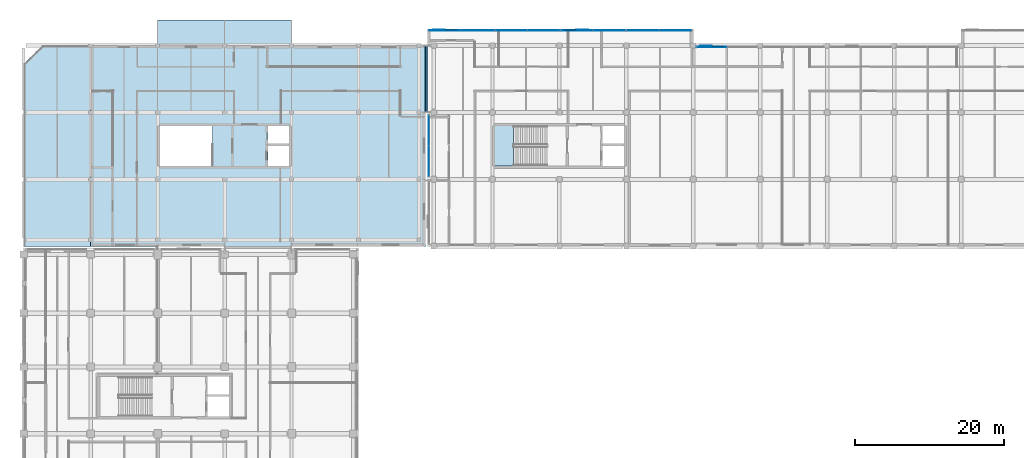
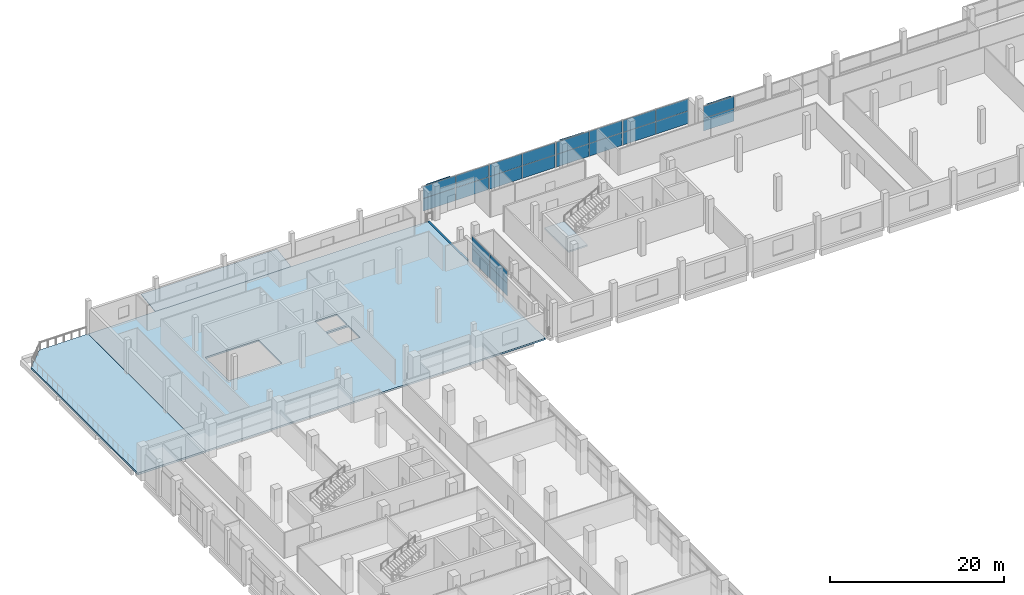
# One storey, part 60 of 111: 28 plates, 5 slabs, 7 elements without a shape of their own.
"""IFC4 building model written with IfcOpenShell, lengths in metres."""

from ifc_helpers import new_model, si_unit, direction, frame, origin, origin_2d, place, context, subcontext, project, spatial, polyline, rectangle, outline, extrude, material, layer, layer_set, type_object, element, aggregate, save


model = new_model("IFC4")

# Units and contexts
model_context = context("Model", 3, precision=1e-05, world=origin(), true_north=direction((0.0, 1.0)))
body_context = subcontext(model_context, "Body", "Model", "MODEL_VIEW")
ifc_project = project(units=[si_unit("LENGTHUNIT", "METRE"), si_unit("AREAUNIT", "SQUARE_METRE"), si_unit("VOLUMEUNIT", "CUBIC_METRE"), si_unit("PLANEANGLEUNIT", "RADIAN"), si_unit("MASSUNIT", "GRAM", prefix="KILO"), si_unit("THERMODYNAMICTEMPERATUREUNIT", "KELVIN"), si_unit("POWERUNIT", "WATT")], contexts=[model_context])

# Site, building, storey
site_placement = place(None, origin())
site = spatial("IfcSite", under=ifc_project, at=site_placement, CompositionType="ELEMENT")
building_placement = place(site_placement, origin())
building = spatial("IfcBuilding", under=site, at=building_placement, Name="Sindhuravela Promenade Stadium", CompositionType="ELEMENT")
storey_placement = place(building_placement, frame((0.0, 0.0, 9.60009765625)))
storey = spatial("IfcBuildingStorey", under=building, at=storey_placement, Name="L02", CompositionType="ELEMENT", Elevation=9.60009765625)

# Plates
ifc_material_1 = material(Name="Perforated terracotta celosia brick (15 MPa)", Category="masonry")
ifc_layer_1 = layer(ifc_material_1, 0.090087890625)
ifc_layer_set_1 = layer_set([ifc_layer_1], Name="Perforated terracotta celosia brick (15 MPa)")
plate_type_1 = type_object("IfcPlateType", Name="CL-SCR-01", PredefinedType="USERDEFINED", material=ifc_layer_set_1)
plate_1_placement = place(storey_placement, frame((75.074951171875, 155.080078125, -0.000244140625), z_axis=(0.0, 0.0, 1.0), x_axis=(1.0, 0.0, 0.0)))
element("IfcPlate", 1, at=plate_1_placement, inside=storey, type_object=plate_type_1, Name="Perforated brick celosia screen NORTH L02-156", ObjectType="SCREEN PANEL", PredefinedType="USERDEFINED", context=body_context, shape_type="SweptSolid", body=[
    extrude(rectangle(XDim=1.56005859375, YDim=0.090087890625, at=origin_2d()), origin(), (0.0, 0.0, 1.0), 3.580078125),
])
ifc_layer_2 = layer(ifc_material_1, 0.114990234375)
ifc_layer_set_2 = layer_set([ifc_layer_2], Name="Perforated terracotta celosia brick (15 MPa)")
plate_type_2 = type_object("IfcPlateType", Name="CL-SCR-02", PredefinedType="USERDEFINED", material=ifc_layer_set_2)
for number, where, z_axis, x_axis, name in (
    (2, (55.800048828125, 155.080078125, -0.000244140625), (0.0, 0.0, 1.0), (1.0, 0.0, 0.0), "Perforated brick celosia screen NORTH L02-153"),
    (3, (91.705078125, 152.8798828125, -0.000244140625), (0.0, 0.0, 1.0), (1.0, 0.0, 0.0), "Perforated brick celosia screen NORTH L02-157"),
):
    element("IfcPlate", number, at=place(storey_placement, frame(where, z_axis=z_axis, x_axis=x_axis)), inside=storey, type_object=plate_type_2, Name=name, ObjectType="SCREEN PANEL", PredefinedType="USERDEFINED", context=body_context, shape_type="SweptSolid", body=[
        extrude(rectangle(XDim=1.56005859375, YDim=0.114990234375, at=origin_2d()), origin(), (0.0, 0.0, 1.0), 3.580078125),
    ])
ifc_layer_3 = layer(ifc_material_1, 0.139892578125)
ifc_layer_set_3 = layer_set([ifc_layer_3], Name="Perforated terracotta celosia brick (15 MPa)")
plate_type_3 = type_object("IfcPlateType", Name="CL-SCR-03", PredefinedType="USERDEFINED", material=ifc_layer_set_3)
for number, where, z_axis, x_axis, name in (
    (4, (57.39990234375, 155.080078125, -0.000244140625), (0.0, 0.0, 1.0), (1.0, 0.0, 0.0), "Perforated brick celosia screen NORTH L02-154"),
    (5, (93.304931640625, 152.8798828125, -0.000244140625), (0.0, 0.0, 1.0), (1.0, 0.0, 0.0), "Perforated brick celosia screen NORTH L02-158"),
):
    element("IfcPlate", number, at=place(storey_placement, frame(where, z_axis=z_axis, x_axis=x_axis)), inside=storey, type_object=plate_type_3, Name=name, ObjectType="SCREEN PANEL", PredefinedType="USERDEFINED", context=body_context, shape_type="SweptSolid", body=[
        extrude(rectangle(XDim=1.56005859375, YDim=0.139892578125, at=origin_2d()), origin(), (0.0, 0.0, 1.0), 3.580078125),
    ])
ifc_layer_4 = layer(ifc_material_1, 0.1650390625)
ifc_layer_set_4 = layer_set([ifc_layer_4], Name="Perforated terracotta celosia brick (15 MPa)")
plate_type_4 = type_object("IfcPlateType", Name="CL-SCR-04", PredefinedType="USERDEFINED", material=ifc_layer_set_4)
plate_2_placement = place(storey_placement, frame((73.47509765625, 155.080078125, -0.000244140625), z_axis=(0.0, 0.0, 1.0), x_axis=(1.0, 0.0, 0.0)))
element("IfcPlate", 6, at=plate_2_placement, inside=storey, type_object=plate_type_4, Name="Perforated brick celosia screen NORTH L02-155", ObjectType="SCREEN PANEL", PredefinedType="USERDEFINED", context=body_context, shape_type="SweptSolid", body=[
    extrude(rectangle(XDim=1.56005859375, YDim=0.1650390625, at=origin_2d()), origin(), (0.0, 0.0, 1.0), 3.580078125),
])

# Curtain wall, plates
ifc_material_2 = material(Name="Anodised architectural aluminium 6063-T6", Category="aluminium")
curtain_wall_type_1 = type_object("IfcCurtainWallType", Name="CW-MOD-3", PredefinedType="NOTDEFINED", material=ifc_material_2)
curtain_wall_1_placement = place(storey_placement, origin())
curtain_wall_1 = element("IfcCurtainWall", 7, at=curtain_wall_1_placement, inside=storey, type_object=curtain_wall_type_1, Name="Bronze curtain wall CW-NORTH-L02-154", PredefinedType="NOTDEFINED")
ifc_material_3 = material(Name="Tempered laminated low-E glass", Category="glass")
ifc_layer_5 = layer(ifc_material_3, 0.028076171875)
ifc_layer_set_5 = layer_set([ifc_layer_5], Name="Tempered laminated low-E glass")
plate_type_5 = type_object("IfcPlateType", Name="CW-PNL-01", PredefinedType="CURTAIN_PANEL", material=ifc_layer_set_5)
plate_3_placement = place(storey_placement, frame((56.681884765625, 155.0, 0.01513671875), z_axis=(0.0, 0.0, 1.0), x_axis=(1.0, 0.0, 0.0)))
plate_3 = element("IfcPlate", 8, at=plate_3_placement, type_object=plate_type_5, Name="Glazed curtain panel CW-NORTH-L02-154-P1.1", PredefinedType="CURTAIN_PANEL", context=body_context, shape_type="SweptSolid", body=[
    extrude(rectangle(XDim=4.31396484375, YDim=0.028076171875, at=origin_2d()), origin(), (0.0, 0.0, 1.0), 1.760009765625),
])
plate_4_placement = place(storey_placement, frame((56.681884765625, 155.0, 1.80517578125), z_axis=(0.0, 0.0, 1.0), x_axis=(1.0, 0.0, 0.0)))
plate_4 = element("IfcPlate", 9, at=plate_4_placement, type_object=plate_type_5, Name="Glazed curtain panel CW-NORTH-L02-154-P1.2", PredefinedType="CURTAIN_PANEL", context=body_context, shape_type="SweptSolid", body=[
    extrude(rectangle(XDim=4.31396484375, YDim=0.028076171875, at=origin_2d()), origin(), (0.0, 0.0, 1.0), 1.679931640625),
])
plate_5_placement = place(storey_placement, frame((61.0556640625, 155.0, 0.01513671875), z_axis=(0.0, 0.0, 1.0), x_axis=(1.0, 0.0, 0.0)))
plate_5 = element("IfcPlate", 10, at=plate_5_placement, type_object=plate_type_5, Name="Glazed curtain panel CW-NORTH-L02-154-P2.1", PredefinedType="CURTAIN_PANEL", context=body_context, shape_type="SweptSolid", body=[
    extrude(rectangle(XDim=4.31396484375, YDim=0.028076171875, at=origin_2d()), origin(), (0.0, 0.0, 1.0), 1.760009765625),
])
plate_6_placement = place(storey_placement, frame((61.0556640625, 155.0, 1.80517578125), z_axis=(0.0, 0.0, 1.0), x_axis=(1.0, 0.0, 0.0)))
plate_6 = element("IfcPlate", 11, at=plate_6_placement, type_object=plate_type_5, Name="Glazed curtain panel CW-NORTH-L02-154-P2.2", PredefinedType="CURTAIN_PANEL", context=body_context, shape_type="SweptSolid", body=[
    extrude(rectangle(XDim=4.31396484375, YDim=0.028076171875, at=origin_2d()), origin(), (0.0, 0.0, 1.0), 1.679931640625),
])
aggregate(curtain_wall_1, [plate_3, plate_4, plate_5, plate_6])

curtain_wall_type_2 = type_object("IfcCurtainWallType", Name="CW-MOD-5", PredefinedType="NOTDEFINED", material=ifc_material_2)
curtain_wall_2_placement = place(storey_placement, origin())
curtain_wall_2 = element("IfcCurtainWall", 12, at=curtain_wall_2_placement, inside=storey, type_object=curtain_wall_type_2, Name="Bronze curtain wall CW-NORTH-L02-156", PredefinedType="NOTDEFINED")
plate_7_placement = place(storey_placement, frame((74.35693359375, 155.0, 0.01513671875), z_axis=(0.0, 0.0, 1.0), x_axis=(1.0, 0.0, 0.0)))
plate_7 = element("IfcPlate", 13, at=plate_7_placement, type_object=plate_type_5, Name="Glazed curtain panel CW-NORTH-L02-156-P1.1", PredefinedType="CURTAIN_PANEL", context=body_context, shape_type="SweptSolid", body=[
    extrude(rectangle(XDim=4.31396484375, YDim=0.028076171875, at=origin_2d()), origin(), (0.0, 0.0, 1.0), 1.760009765625),
])
plate_8_placement = place(storey_placement, frame((74.35693359375, 155.0, 1.80517578125), z_axis=(0.0, 0.0, 1.0), x_axis=(1.0, 0.0, 0.0)))
plate_8 = element("IfcPlate", 14, at=plate_8_placement, type_object=plate_type_5, Name="Glazed curtain panel CW-NORTH-L02-156-P1.2", PredefinedType="CURTAIN_PANEL", context=body_context, shape_type="SweptSolid", body=[
    extrude(rectangle(XDim=4.31396484375, YDim=0.028076171875, at=origin_2d()), origin(), (0.0, 0.0, 1.0), 1.679931640625),
])
plate_9_placement = place(storey_placement, frame((78.730712890625, 155.0, 0.01513671875), z_axis=(0.0, 0.0, 1.0), x_axis=(1.0, 0.0, 0.0)))
plate_9 = element("IfcPlate", 15, at=plate_9_placement, type_object=plate_type_5, Name="Glazed curtain panel CW-NORTH-L02-156-P2.1", PredefinedType="CURTAIN_PANEL", context=body_context, shape_type="SweptSolid", body=[
    extrude(rectangle(XDim=4.31396484375, YDim=0.028076171875, at=origin_2d()), origin(), (0.0, 0.0, 1.0), 1.760009765625),
])
plate_10_placement = place(storey_placement, frame((78.730712890625, 155.0, 1.80517578125), z_axis=(0.0, 0.0, 1.0), x_axis=(1.0, 0.0, 0.0)))
plate_10 = element("IfcPlate", 16, at=plate_10_placement, type_object=plate_type_5, Name="Glazed curtain panel CW-NORTH-L02-156-P2.2", PredefinedType="CURTAIN_PANEL", context=body_context, shape_type="SweptSolid", body=[
    extrude(rectangle(XDim=4.31396484375, YDim=0.028076171875, at=origin_2d()), origin(), (0.0, 0.0, 1.0), 1.679931640625),
])
aggregate(curtain_wall_2, [plate_7, plate_8, plate_9, plate_10])

curtain_wall_type_3 = type_object("IfcCurtainWallType", Name="CW-MOD-7", PredefinedType="NOTDEFINED", material=ifc_material_2)
curtain_wall_3_placement = place(storey_placement, origin())
curtain_wall_3 = element("IfcCurtainWall", 17, at=curtain_wall_3_placement, inside=storey, type_object=curtain_wall_type_3, Name="Bronze curtain wall CW-NORTH-L02-158", PredefinedType="NOTDEFINED")
plate_11_placement = place(storey_placement, frame((92.449951171875, 152.800048828125, 0.01513671875), z_axis=(0.0, 0.0, 1.0), x_axis=(1.0, 0.0, 0.0)))
plate_11 = element("IfcPlate", 18, at=plate_11_placement, type_object=plate_type_5, Name="Glazed curtain panel CW-NORTH-L02-158-P1.1", PredefinedType="CURTAIN_PANEL", context=body_context, shape_type="SweptSolid", body=[
    extrude(rectangle(XDim=4.0400390625, YDim=0.028076171875, at=origin_2d()), origin(), (0.0, 0.0, 1.0), 1.760009765625),
])
plate_12_placement = place(storey_placement, frame((92.449951171875, 152.800048828125, 1.80517578125), z_axis=(0.0, 0.0, 1.0), x_axis=(1.0, 0.0, 0.0)))
plate_12 = element("IfcPlate", 19, at=plate_12_placement, type_object=plate_type_5, Name="Glazed curtain panel CW-NORTH-L02-158-P1.2", PredefinedType="CURTAIN_PANEL", context=body_context, shape_type="SweptSolid", body=[
    extrude(rectangle(XDim=4.0400390625, YDim=0.028076171875, at=origin_2d()), origin(), (0.0, 0.0, 1.0), 1.679931640625),
])
aggregate(curtain_wall_3, [plate_11, plate_12])

curtain_wall_type_4 = type_object("IfcCurtainWallType", Name="CW-MOD-2", PredefinedType="NOTDEFINED", material=ifc_material_2)
curtain_wall_4_placement = place(storey_placement, origin())
curtain_wall_4 = element("IfcCurtainWall", 20, at=curtain_wall_4_placement, inside=storey, type_object=curtain_wall_type_4, Name="Bronze curtain wall CW-NORTH-L02-153", PredefinedType="NOTDEFINED")
ifc_layer_6 = layer(ifc_material_3, 0.0400390625)
ifc_layer_set_6 = layer_set([ifc_layer_6], Name="Tempered laminated low-E glass")
plate_type_6 = type_object("IfcPlateType", Name="CW-PNL-02", PredefinedType="CURTAIN_PANEL", material=ifc_layer_set_6)
plate_13_placement = place(storey_placement, frame((54.449951171875, 137.449951171875, 0.01513671875), z_axis=(0.0, 0.0, 1.0), x_axis=(0.0, 1.0, 0.0)))
plate_13 = element("IfcPlate", 21, at=plate_13_placement, type_object=plate_type_6, Name="Glazed curtain panel CW-NORTH-L02-153-P1.1", PredefinedType="CURTAIN_PANEL", context=body_context, shape_type="SweptSolid", body=[
    extrude(rectangle(XDim=4.0400390625, YDim=0.0400390625, at=origin_2d()), origin(), (0.0, 0.0, 1.0), 1.760009765625),
])
plate_14_placement = place(storey_placement, frame((54.449951171875, 137.449951171875, 1.80517578125), z_axis=(0.0, 0.0, 1.0), x_axis=(0.0, 1.0, 0.0)))
plate_14 = element("IfcPlate", 22, at=plate_14_placement, type_object=plate_type_6, Name="Glazed curtain panel CW-NORTH-L02-153-P1.2", PredefinedType="CURTAIN_PANEL", context=body_context, shape_type="SweptSolid", body=[
    extrude(rectangle(XDim=4.0400390625, YDim=0.0400390625, at=origin_2d()), origin(), (0.0, 0.0, 1.0), 1.679931640625),
])
plate_15_placement = place(storey_placement, frame((54.449951171875, 141.550048828125, 0.01513671875), z_axis=(0.0, 0.0, 1.0), x_axis=(0.0, 1.0, 0.0)))
plate_15 = element("IfcPlate", 23, at=plate_15_placement, type_object=plate_type_6, Name="Glazed curtain panel CW-NORTH-L02-153-P2.1", PredefinedType="CURTAIN_PANEL", context=body_context, shape_type="SweptSolid", body=[
    extrude(rectangle(XDim=4.0400390625, YDim=0.0400390625, at=origin_2d()), origin(), (0.0, 0.0, 1.0), 1.760009765625),
])
plate_16_placement = place(storey_placement, frame((54.449951171875, 141.550048828125, 1.80517578125), z_axis=(0.0, 0.0, 1.0), x_axis=(0.0, 1.0, 0.0)))
plate_16 = element("IfcPlate", 24, at=plate_16_placement, type_object=plate_type_6, Name="Glazed curtain panel CW-NORTH-L02-153-P2.2", PredefinedType="CURTAIN_PANEL", context=body_context, shape_type="SweptSolid", body=[
    extrude(rectangle(XDim=4.0400390625, YDim=0.0400390625, at=origin_2d()), origin(), (0.0, 0.0, 1.0), 1.679931640625),
])
aggregate(curtain_wall_4, [plate_13, plate_14, plate_15, plate_16])

curtain_wall_type_5 = type_object("IfcCurtainWallType", Name="CW-MOD-4", PredefinedType="NOTDEFINED", material=ifc_material_2)
curtain_wall_5_placement = place(storey_placement, origin())
curtain_wall_5 = element("IfcCurtainWall", 25, at=curtain_wall_5_placement, inside=storey, type_object=curtain_wall_type_5, Name="Bronze curtain wall CW-NORTH-L02-155", PredefinedType="NOTDEFINED")
plate_17_placement = place(storey_placement, frame((65.519287109375, 155.0, 0.01513671875), z_axis=(0.0, 0.0, 1.0), x_axis=(1.0, 0.0, 0.0)))
plate_17 = element("IfcPlate", 26, at=plate_17_placement, type_object=plate_type_6, Name="Glazed curtain panel CW-NORTH-L02-155-P1.1", PredefinedType="CURTAIN_PANEL", context=body_context, shape_type="SweptSolid", body=[
    extrude(rectangle(XDim=4.31396484375, YDim=0.0400390625, at=origin_2d()), origin(), (0.0, 0.0, 1.0), 1.760009765625),
])
plate_18_placement = place(storey_placement, frame((65.519287109375, 155.0, 1.80517578125), z_axis=(0.0, 0.0, 1.0), x_axis=(1.0, 0.0, 0.0)))
plate_18 = element("IfcPlate", 27, at=plate_18_placement, type_object=plate_type_6, Name="Glazed curtain panel CW-NORTH-L02-155-P1.2", PredefinedType="CURTAIN_PANEL", context=body_context, shape_type="SweptSolid", body=[
    extrude(rectangle(XDim=4.31396484375, YDim=0.0400390625, at=origin_2d()), origin(), (0.0, 0.0, 1.0), 1.679931640625),
])
plate_19_placement = place(storey_placement, frame((69.89306640625, 155.0, 0.01513671875), z_axis=(0.0, 0.0, 1.0), x_axis=(1.0, 0.0, 0.0)))
plate_19 = element("IfcPlate", 28, at=plate_19_placement, type_object=plate_type_6, Name="Glazed curtain panel CW-NORTH-L02-155-P2.1", PredefinedType="CURTAIN_PANEL", context=body_context, shape_type="SweptSolid", body=[
    extrude(rectangle(XDim=4.31396484375, YDim=0.0400390625, at=origin_2d()), origin(), (0.0, 0.0, 1.0), 1.760009765625),
])
plate_20_placement = place(storey_placement, frame((69.89306640625, 155.0, 1.80517578125), z_axis=(0.0, 0.0, 1.0), x_axis=(1.0, 0.0, 0.0)))
plate_20 = element("IfcPlate", 29, at=plate_20_placement, type_object=plate_type_6, Name="Glazed curtain panel CW-NORTH-L02-155-P2.2", PredefinedType="CURTAIN_PANEL", context=body_context, shape_type="SweptSolid", body=[
    extrude(rectangle(XDim=4.31396484375, YDim=0.0400390625, at=origin_2d()), origin(), (0.0, 0.0, 1.0), 1.679931640625),
])
aggregate(curtain_wall_5, [plate_17, plate_18, plate_19, plate_20])

curtain_wall_type_6 = type_object("IfcCurtainWallType", Name="CW-MOD-6", PredefinedType="NOTDEFINED", material=ifc_material_2)
curtain_wall_6_placement = place(storey_placement, origin())
curtain_wall_6 = element("IfcCurtainWall", 30, at=curtain_wall_6_placement, inside=storey, type_object=curtain_wall_type_6, Name="Bronze curtain wall CW-NORTH-L02-157", PredefinedType="NOTDEFINED")
plate_21_placement = place(storey_placement, frame((83.1943359375, 155.0, 0.01513671875), z_axis=(0.0, 0.0, 1.0), x_axis=(1.0, 0.0, 0.0)))
plate_21 = element("IfcPlate", 31, at=plate_21_placement, type_object=plate_type_6, Name="Glazed curtain panel CW-NORTH-L02-157-P1.1", PredefinedType="CURTAIN_PANEL", context=body_context, shape_type="SweptSolid", body=[
    extrude(rectangle(XDim=4.31396484375, YDim=0.0400390625, at=origin_2d()), origin(), (0.0, 0.0, 1.0), 1.760009765625),
])
plate_22_placement = place(storey_placement, frame((83.1943359375, 155.0, 1.80517578125), z_axis=(0.0, 0.0, 1.0), x_axis=(1.0, 0.0, 0.0)))
plate_22 = element("IfcPlate", 32, at=plate_22_placement, type_object=plate_type_6, Name="Glazed curtain panel CW-NORTH-L02-157-P1.2", PredefinedType="CURTAIN_PANEL", context=body_context, shape_type="SweptSolid", body=[
    extrude(rectangle(XDim=4.31396484375, YDim=0.0400390625, at=origin_2d()), origin(), (0.0, 0.0, 1.0), 1.679931640625),
])
plate_23_placement = place(storey_placement, frame((87.568115234375, 155.0, 0.01513671875), z_axis=(0.0, 0.0, 1.0), x_axis=(1.0, 0.0, 0.0)))
plate_23 = element("IfcPlate", 33, at=plate_23_placement, type_object=plate_type_6, Name="Glazed curtain panel CW-NORTH-L02-157-P2.1", PredefinedType="CURTAIN_PANEL", context=body_context, shape_type="SweptSolid", body=[
    extrude(rectangle(XDim=4.31396484375, YDim=0.0400390625, at=origin_2d()), origin(), (0.0, 0.0, 1.0), 1.760009765625),
])
plate_24_placement = place(storey_placement, frame((87.568115234375, 155.0, 1.80517578125), z_axis=(0.0, 0.0, 1.0), x_axis=(1.0, 0.0, 0.0)))
plate_24 = element("IfcPlate", 34, at=plate_24_placement, type_object=plate_type_6, Name="Glazed curtain panel CW-NORTH-L02-157-P2.2", PredefinedType="CURTAIN_PANEL", context=body_context, shape_type="SweptSolid", body=[
    extrude(rectangle(XDim=4.31396484375, YDim=0.0400390625, at=origin_2d()), origin(), (0.0, 0.0, 1.0), 1.679931640625),
])
aggregate(curtain_wall_6, [plate_21, plate_22, plate_23, plate_24])

# Slabs
ifc_material_4 = material(Name="Concrete M50", Category="concrete")
ifc_layer_7 = layer(ifc_material_4, 0.360107421875)
ifc_layer_set_7 = layer_set([ifc_layer_7], Name="Concrete M50")
slab_type_1 = type_object("IfcSlabType", Name="SL-BRG-360", PredefinedType="FLOOR", material=ifc_layer_set_7)
slab_1_placement = place(storey_placement, frame((0.0, 0.0, -0.360107421875)))
element("IfcSlab", 35, at=slab_1_placement, inside=storey, type_object=slab_type_1, Name="Concourse link bridge L02 North-NW", PredefinedType="FLOOR", context=body_context, shape_type="SweptSolid", body=[
    extrude(outline(polyline([(54.0, 144.0), (54.25, 144.0), (54.25, 153.0), (54.0, 153.0), (54.0, 144.0)])), origin(), (0.0, 0.0, 1.0), 0.360107421875),
])
ifc_material_5 = material(Name="Concrete M40", Category="concrete")
ifc_layer_8 = layer(ifc_material_5, 0.110107421875)
ifc_layer_set_8 = layer_set([ifc_layer_8], Name="Concrete M40")
slab_type_2 = type_object("IfcSlabType", Name="SL-ENT-110", PredefinedType="ROOF", material=ifc_layer_set_8)
slab_2_placement = place(storey_placement, frame((18.0, 153.0400390625, -0.1201171875), z_axis=(0.0, -0.13852926932385745, 0.9903583399661954), x_axis=(1.0, 0.0, 0.0)))
element("IfcSlab", 36, at=slab_2_placement, inside=storey, type_object=slab_type_2, Name="Gate pavilion NW cantilevered entrance canopy", PredefinedType="ROOF", context=body_context, shape_type="SweptSolid", body=[
    extrude(outline(polyline([(0.0, 0.0), (18.0, 0.0), (18.0, 3.39257331983965), (0.0, 3.39257331983965), (0.0, 0.0)])), origin(), (0.0, 0.0, -1.0), 0.110107421875),
])
ifc_layer_9 = layer(ifc_material_5, 0.235107421875)
ifc_layer_set_9 = layer_set([ifc_layer_9], Name="Concrete M40")
slab_type_3 = type_object("IfcSlabType", Name="SL-FLR-220", PredefinedType="FLOOR", material=ifc_layer_set_9)
slab_3_placement = place(storey_placement, frame((0.0, 0.0, -0.235107421875)))
element("IfcSlab", 37, at=slab_3_placement, inside=storey, type_object=slab_type_3, Name="Floor slab Pavilion NW L02", PredefinedType="FLOOR", context=body_context, shape_type="SweptSolid", body=[
    extrude(outline(polyline([(9.0, 126.0), (54.0, 126.0), (54.0, 153.0), (9.0, 153.0), (9.0, 126.0)]), holes=[polyline([(18.300048828125, 136.800048828125), (25.34912109375, 136.800048828125), (25.34912109375, 142.199951171875), (18.300048828125, 142.199951171875), (18.300048828125, 136.800048828125)]), polyline([(32.800048828125, 139.800048828125), (35.699951171875, 139.800048828125), (35.699951171875, 142.199951171875), (32.800048828125, 142.199951171875), (32.800048828125, 139.800048828125)]), polyline([(32.800048828125, 136.800048828125), (35.699951171875, 136.800048828125), (35.699951171875, 139.5), (32.800048828125, 139.5), (32.800048828125, 136.800048828125)])]), origin(), (0.0, 0.0, 1.0), 0.235107421875),
])

# Stair, slab
stair_type = type_object("IfcStairType", Name="ST-CORE-DOGLEG", PredefinedType="HALF_TURN_STAIR", material=ifc_material_5)
stair_placement = place(storey_placement, origin())
stair = element("IfcStair", 38, at=stair_placement, inside=storey, type_object=stair_type, Name="Protected escape stair ST09 (L02)", PredefinedType="HALF_TURN_STAIR")
ifc_layer_10 = layer(ifc_material_5, 0.219970703125)
ifc_layer_set_10 = layer_set([ifc_layer_10], Name="Concrete M40")
slab_type_4 = type_object("IfcSlabType", Name="SL-LND-220", PredefinedType="LANDING", material=ifc_layer_set_10)
slab_4_placement = place(storey_placement, frame((0.0, 0.0, 2.179931640625)))
slab_4 = element("IfcSlab", 39, at=slab_4_placement, type_object=slab_type_4, Name="Stair ST09 half-landing (L02)", PredefinedType="LANDING", context=body_context, shape_type="SweptSolid", body=[
    extrude(outline(polyline([(63.280029296875, 136.780029296875), (65.85205078125, 136.780029296875), (65.85205078125, 142.219970703125), (63.280029296875, 142.219970703125), (63.280029296875, 136.780029296875)])), origin(), (0.0, 0.0, 1.0), 0.219970703125),
])
aggregate(stair, [slab_4])

# Slab
ifc_layer_11 = layer(ifc_material_5, 0.27001953125)
ifc_layer_set_11 = layer_set([ifc_layer_11], Name="Concrete M40")
slab_type_5 = type_object("IfcSlabType", Name="SL-TER-270", PredefinedType="FLOOR", material=ifc_layer_set_11)
slab_5_placement = place(storey_placement, frame((0.0, 0.0, -0.27001953125)))
element("IfcSlab", 40, at=slab_5_placement, inside=storey, type_object=slab_type_5, Name="NW Pavilion West Terrace", PredefinedType="FLOOR", context=body_context, shape_type="SweptSolid", body=[
    extrude(outline(polyline([(0.0, 126.0), (9.0, 126.0), (9.0, 153.0), (2.52001953125, 153.0), (0.0, 150.47998046875), (0.0, 126.0)])), origin(), (0.0, 0.0, 1.0), 0.27001953125),
])

save(model, "model.ifc")
